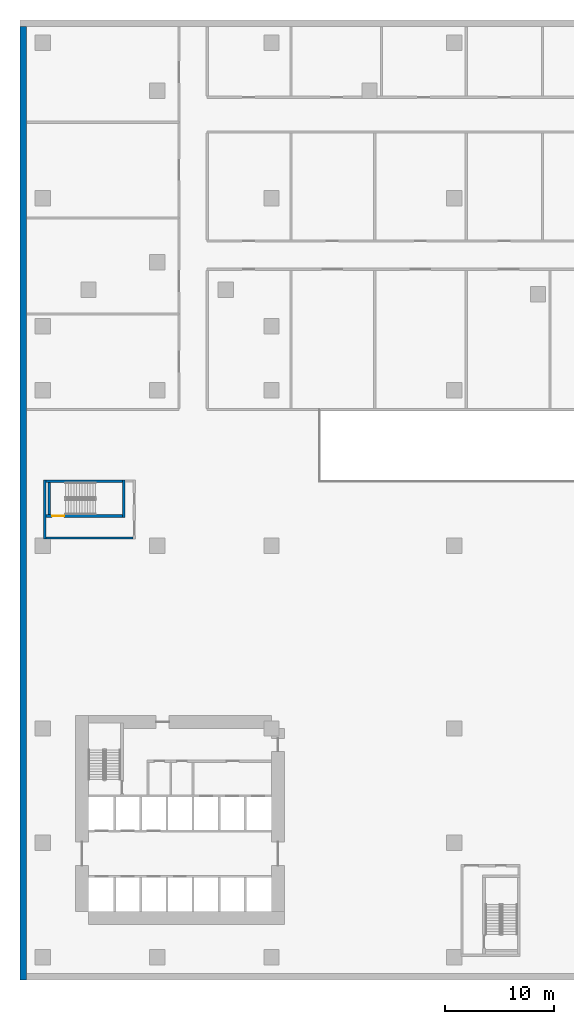
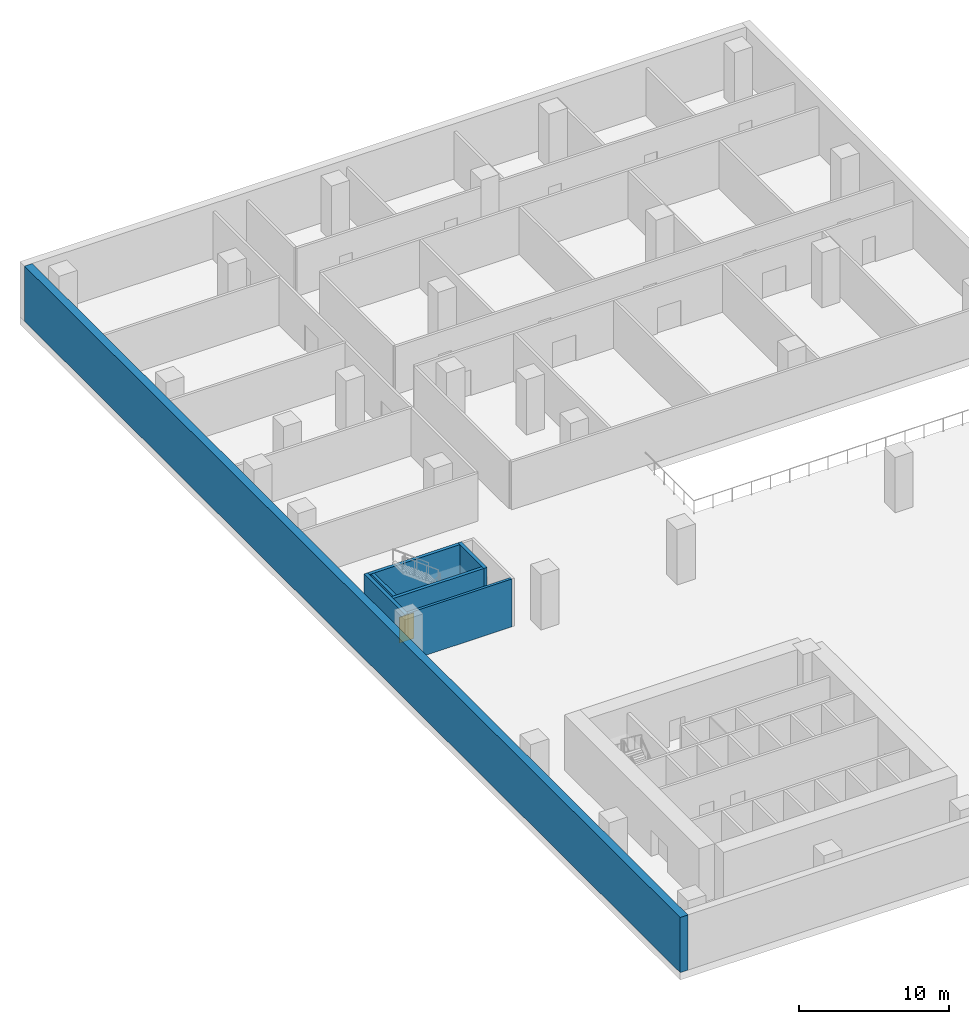
# One storey, part 5 of 12: 7 walls, 1 door, 1 opening.
"""IFC4 building model written with IfcOpenShell, lengths in metres."""

from ifc_helpers import new_model, si_unit, direction, frame, frame_2d, origin, place, context, subcontext, project, spatial, rectangle, extrude, source, transform, mapped, material, layer, layer_set, type_object, element, fill, save


model = new_model("IFC4")

# Units and contexts
model_context = context("Model", 3, precision=1e-05, world=origin(), true_north=direction((0.0, 1.0)))
body_context = subcontext(model_context, "Body", "Model", "MODEL_VIEW")
ifc_project = project(units=[si_unit("LENGTHUNIT", "METRE"), si_unit("AREAUNIT", "SQUARE_METRE"), si_unit("VOLUMEUNIT", "CUBIC_METRE"), si_unit("PLANEANGLEUNIT", "RADIAN"), si_unit("MASSUNIT", "GRAM", prefix="KILO")], contexts=[model_context])

# Site, building, storey
site_placement = place(None, origin())
site = spatial("IfcSite", under=ifc_project, at=site_placement, CompositionType="ELEMENT")
building_placement = place(site_placement, origin())
building = spatial("IfcBuilding", under=site, at=building_placement, Name="Aurelian Terraces", CompositionType="ELEMENT")
storey_placement = place(building_placement, frame((0.0, 0.0, -4.5)))
storey = spatial("IfcBuildingStorey", under=building, at=storey_placement, Name="B1", CompositionType="ELEMENT", Elevation=-4.5)

# Wall
ifc_material_1 = material(Name="Concrete fc' 40 MPa", Category="concrete")
ifc_layer_1 = layer(ifc_material_1, 0.6)
ifc_layer_set_1 = layer_set([ifc_layer_1], Name="BASEMENT WALL 600 FC40")
wall_type_1 = type_object("IfcWallType", Name="BASEMENT WALL 600 FC40", PredefinedType="SOLIDWALL", material=ifc_layer_set_1)
shared_shape_1 = source(origin(), body_context, "Body", "SweptSolid", [
    extrude(rectangle(XDim=87.6, YDim=0.6, at=frame_2d((43.8, 0.0))), origin(), (0.0, 0.0, 1.0), 4.5),
])
wall_1_placement = place(storey_placement, frame((-1.8, 85.5, 0.0), z_axis=(0.0, 0.0, 1.0), x_axis=(0.0, -1.0, 0.0)))
element("IfcWall", 1, at=wall_1_placement, inside=storey, type_object=wall_type_1, Name="Basement wall 3 B1", PredefinedType="SOLIDWALL", context=body_context, shape_type="MappedRepresentation", body=[
    mapped(shared_shape_1, transform((0.0, 0.0, 0.0), scale=1.0)),
])

# Wall, opening, door
ifc_layer_2 = layer(ifc_material_1, 0.25)
ifc_layer_set_2 = layer_set([ifc_layer_2], Name="Stair enclosure wall 250")
wall_type_2 = type_object("IfcWallType", Name="Stair enclosure wall 250", PredefinedType="SOLIDWALL", material=ifc_layer_set_2)
shared_shape_2 = source(origin(), body_context, "Body", "SweptSolid", [
    extrude(rectangle(XDim=7.0, YDim=0.25, at=frame_2d((3.5, 0.0))), origin(), (0.0, 0.0, 1.0), 3.9),
])
wall_2_placement = place(storey_placement, frame((0.3, 40.525, 0.0), z_axis=(0.0, 0.0, 1.0), x_axis=(1.0, 0.0, 0.0)))
wall_2 = element("IfcWall", 2, at=wall_2_placement, inside=storey, type_object=wall_type_2, Name="B1 core wall ST-S3-W", PredefinedType="SOLIDWALL", context=body_context, shape_type="MappedRepresentation", body=[
    mapped(shared_shape_2, transform((0.0, 0.0, 0.0), scale=1.0)),
])
shared_shape_3 = source(origin(), body_context, "Body", "SweptSolid", [
    extrude(rectangle(XDim=1.1, YDim=2.1, at=frame_2d((0.55, 1.05))), frame((0.0, 0.135, 0.0), z_axis=(0.0, -1.0, 0.0), x_axis=(1.0, 0.0, 0.0)), (0.0, 0.0, 1.0), 0.27),
])
opening_placement = place(wall_2_placement, frame((0.55, 0.0, 0.0)))
opening = element("IfcOpeningElement", 3, at=opening_placement, cuts=wall_2, Name="Opening 60217", PredefinedType="OPENING", context=body_context, shape_type="MappedRepresentation", body=[
    mapped(shared_shape_3, transform((0.0, 0.0, 0.0), scale=1.0)),
])
ifc_material_2 = material(Name="Steel door leaf", Category="steel")
door_type = type_object("IfcDoorType", Name="Core fire door 1100x2100 right", OperationType="SINGLE_SWING_RIGHT", PredefinedType="DOOR", material=ifc_material_2)
shared_shape_4 = source(origin(), body_context, "Body", "SweptSolid", [
    extrude(rectangle(XDim=1.1, YDim=2.1, at=frame_2d((0.55, 1.05))), frame((0.0, 0.025, 0.0), z_axis=(0.0, -1.0, 0.0), x_axis=(1.0, 0.0, 0.0)), (0.0, 0.0, 1.0), 0.05),
])
door_placement = place(opening_placement, origin())
door = element("IfcDoor", 4, at=door_placement, inside=storey, type_object=door_type, Name="Stair door 60217", OperationType="SINGLE_SWING_RIGHT", OverallHeight=2.1, OverallWidth=1.1, PredefinedType="DOOR", context=body_context, shape_type="MappedRepresentation", body=[
    mapped(shared_shape_4, transform((0.0, 0.0, 0.0), scale=1.0)),
])
fill(opening, door)

# Walls
wall_3_placement = place(storey_placement, frame((0.3, 43.725, 0.0), z_axis=(0.0, 0.0, 1.0), x_axis=(1.0, 0.0, 0.0)))
element("IfcWall", 5, at=wall_3_placement, inside=storey, type_object=wall_type_2, Name="B1 core wall ST-S3-E", PredefinedType="SOLIDWALL", context=body_context, shape_type="MappedRepresentation", body=[
    mapped(shared_shape_2, transform((0.0, 0.0, 0.0), scale=1.0)),
])
shared_shape_5 = source(origin(), body_context, "Body", "SweptSolid", [
    extrude(rectangle(XDim=3.45, YDim=0.25, at=frame_2d((1.725, 0.0))), origin(), (0.0, 0.0, 1.0), 3.9),
])
wall_4_placement = place(storey_placement, frame((7.425, 40.4, 0.0), z_axis=(0.0, 0.0, 1.0), x_axis=(0.0, 1.0, 0.0)))
element("IfcWall", 6, at=wall_4_placement, inside=storey, type_object=wall_type_2, Name="B1 core wall ST-S3-N", PredefinedType="SOLIDWALL", context=body_context, shape_type="MappedRepresentation", body=[
    mapped(shared_shape_5, transform((0.0, 0.0, 0.0), scale=1.0)),
])
shared_shape_6 = source(origin(), body_context, "Body", "SweptSolid", [
    extrude(rectangle(XDim=2.95, YDim=0.25, at=frame_2d((1.475, 0.0))), origin(), (0.0, 0.0, 1.0), 3.9),
])
wall_5_placement = place(storey_placement, frame((0.575, 40.65, 0.0), z_axis=(0.0, 0.0, 1.0), x_axis=(0.0, 1.0, 0.0)))
element("IfcWall", 7, at=wall_5_placement, inside=storey, type_object=wall_type_2, Name="B1 core wall ST-S3-SS", PredefinedType="SOLIDWALL", context=body_context, shape_type="MappedRepresentation", body=[
    mapped(shared_shape_6, transform((0.0, 0.0, 0.0), scale=1.0)),
])
ifc_material_3 = material(Name="Gypsum board on steel studs", Category="steel")
ifc_layer_3 = layer(ifc_material_3, 0.2)
ifc_layer_set_3 = layer_set([ifc_layer_3], Name="Core partition 200")
wall_type_3 = type_object("IfcWallType", Name="Core partition 200", PredefinedType="PARTITIONING", material=ifc_layer_set_3)
shared_shape_7 = source(origin(), body_context, "Body", "SweptSolid", [
    extrude(rectangle(XDim=8.0, YDim=0.2, at=frame_2d((4.0, 0.0))), origin(), (0.0, 0.0, 1.0), 3.9),
])
wall_6_placement = place(storey_placement, frame((0.3, 38.5, 0.0), z_axis=(0.0, 0.0, 1.0), x_axis=(1.0, 0.0, 0.0)))
element("IfcWall", 8, at=wall_6_placement, inside=storey, type_object=wall_type_3, Name="B1 core wall ST-S3-VW", PredefinedType="PARTITIONING", context=body_context, shape_type="MappedRepresentation", body=[
    mapped(shared_shape_7, transform((0.0, 0.0, 0.0), scale=1.0)),
])
shared_shape_8 = source(origin(), body_context, "Body", "SweptSolid", [
    extrude(rectangle(XDim=5.45, YDim=0.25, at=frame_2d((2.725, 0.0))), origin(), (0.0, 0.0, 1.0), 3.9),
])
wall_7_placement = place(storey_placement, frame((0.175, 38.4, 0.0), z_axis=(0.0, 0.0, 1.0), x_axis=(0.0, 1.0, 0.0)))
element("IfcWall", 9, at=wall_7_placement, inside=storey, type_object=wall_type_2, Name="B1 core wall ST-S3-S", PredefinedType="SOLIDWALL", context=body_context, shape_type="MappedRepresentation", body=[
    mapped(shared_shape_8, transform((0.0, 0.0, 0.0), scale=1.0)),
])

save(model, "model.ifc")
